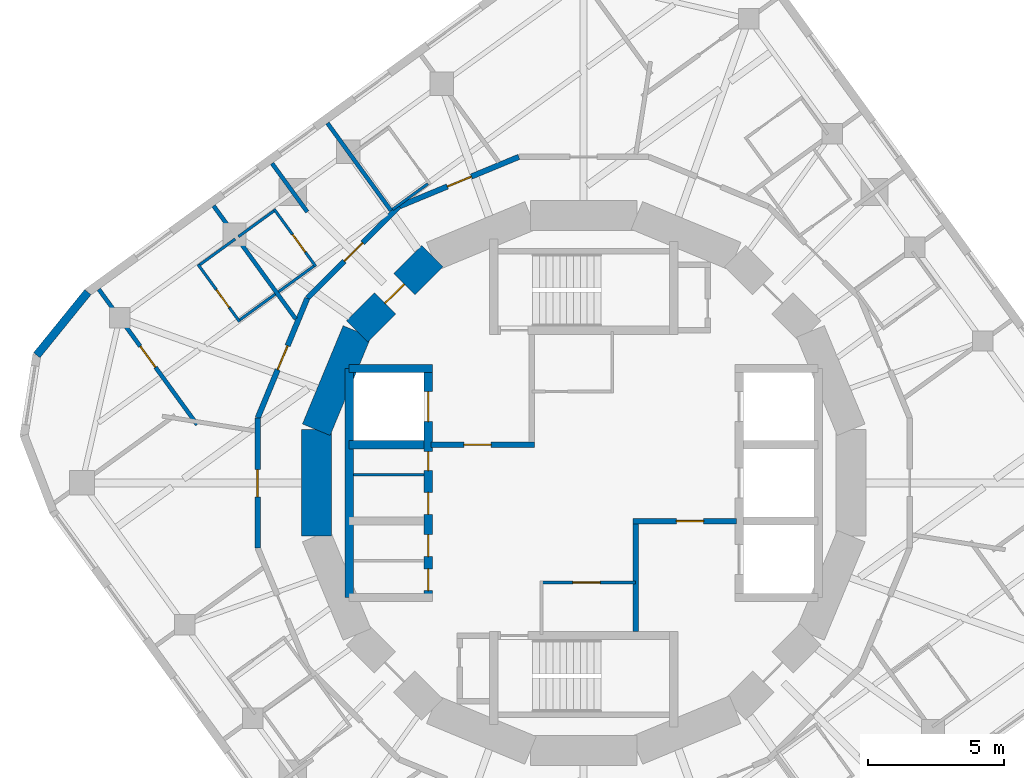
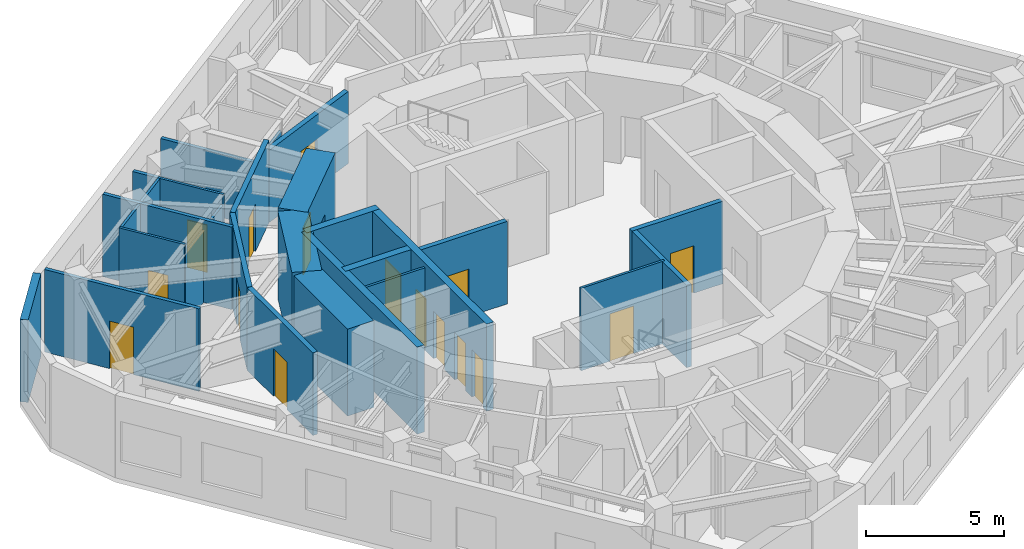
# One storey, part 5 of 9: 28 walls, 16 doors, 16 openings.
"""IFC4 building model written with IfcOpenShell, lengths in metres."""

from ifc_helpers import new_model, si_unit, direction, frame, frame_2d, origin, place, context, subcontext, project, spatial, rectangle, extrude, material, layer, layer_set, type_object, element, fill, save


model = new_model("IFC4")

# Units and contexts
model_context = context("Model", 3, precision=1e-05, world=origin(), true_north=direction((0.0, 1.0)))
body_context = subcontext(model_context, "Body", "Model", "MODEL_VIEW")
ifc_project = project(units=[si_unit("LENGTHUNIT", "METRE"), si_unit("AREAUNIT", "SQUARE_METRE"), si_unit("VOLUMEUNIT", "CUBIC_METRE"), si_unit("PLANEANGLEUNIT", "RADIAN"), si_unit("MASSUNIT", "GRAM", prefix="KILO")], contexts=[model_context])

# Site, building, storey
site_placement = place(None, origin())
site = spatial("IfcSite", under=ifc_project, at=site_placement, CompositionType="ELEMENT")
building_placement = place(site_placement, origin())
building = spatial("IfcBuilding", under=site, at=building_placement, Name="Nakasero Lantern House", CompositionType="ELEMENT")
storey_placement = place(building_placement, frame((0.0, 0.0, 267.60009765625)))
storey = spatial("IfcBuildingStorey", under=building, at=storey_placement, Name="L65", CompositionType="ELEMENT", Elevation=267.60009765625)

# Wall, openings, doors
ifc_material_1 = material(Name="Concrete C50/60", Category="concrete")
ifc_layer_1 = layer(ifc_material_1, 0.300048828125)
ifc_layer_set_1 = layer_set([ifc_layer_1], Name="Core inner wall 300")
wall_type_1 = type_object("IfcWallType", Name="Core inner wall 300", PredefinedType="SHEAR", material=ifc_layer_set_1)
wall_1_placement = place(storey_placement, frame((-5.699951171875, -4.199951171875, 0.0), z_axis=(0.0, 0.0, 1.0), x_axis=(0.0, 1.0, 0.0)))
wall_1 = element("IfcWall", 1, at=wall_1_placement, inside=storey, type_object=wall_type_1, Name="Core inner wall L65 LW", PredefinedType="SHEAR", context=body_context, shape_type="SweptSolid", body=[
    extrude(rectangle(XDim=8.39990234375, YDim=0.300048828125, at=frame_2d((4.199951171875, 0.0))), origin(), (0.0, 0.0, 1.0), 3.849853515625),
])
opening_1_placement = place(wall_1_placement, frame((0.25, 0.0, 0.0)))
opening_1 = element("IfcOpeningElement", 2, at=opening_1_placement, cuts=wall_1, Name="Opening D15", PredefinedType="OPENING", context=body_context, shape_type="SweptSolid", body=[
    extrude(rectangle(XDim=0.800048828125, YDim=2.10009765625, at=frame_2d((0.39990234375, 1.050048828125))), frame((0.0, 0.169921875, 0.0), z_axis=(0.0, -1.0, 0.0), x_axis=(1.0, 0.0, 0.0)), (0.0, 0.0, 1.0), 0.340087890625),
])
opening_2_placement = place(wall_1_placement, frame((1.5, 0.0, 0.0)))
opening_2 = element("IfcOpeningElement", 3, at=opening_2_placement, cuts=wall_1, Name="Opening D15", PredefinedType="OPENING", context=body_context, shape_type="SweptSolid", body=[
    extrude(rectangle(XDim=0.800048828125, YDim=2.10009765625, at=frame_2d((0.39990234375, 1.050048828125))), frame((0.0, 0.169921875, 0.0), z_axis=(0.0, -1.0, 0.0), x_axis=(1.0, 0.0, 0.0)), (0.0, 0.0, 1.0), 0.340087890625),
])
opening_3_placement = place(wall_1_placement, frame((3.050048828125, 0.0, 0.0)))
opening_3 = element("IfcOpeningElement", 4, at=opening_3_placement, cuts=wall_1, Name="Opening D15", PredefinedType="OPENING", context=body_context, shape_type="SweptSolid", body=[
    extrude(rectangle(XDim=0.800048828125, YDim=2.10009765625, at=frame_2d((0.39990234375, 1.050048828125))), frame((0.0, 0.169921875, 0.0), z_axis=(0.0, -1.0, 0.0), x_axis=(1.0, 0.0, 0.0)), (0.0, 0.0, 1.0), 0.340087890625),
])
opening_4_placement = place(wall_1_placement, frame((4.64990234375, 0.0, 0.0)))
opening_4 = element("IfcOpeningElement", 5, at=opening_4_placement, cuts=wall_1, Name="Opening D20", PredefinedType="OPENING", context=body_context, shape_type="SweptSolid", body=[
    extrude(rectangle(XDim=0.699951171875, YDim=2.10009765625, at=frame_2d((0.35009765625, 1.050048828125))), frame((0.0, 0.169921875, 0.0), z_axis=(0.0, -1.0, 0.0), x_axis=(1.0, 0.0, 0.0)), (0.0, 0.0, 1.0), 0.340087890625),
])
opening_5_placement = place(wall_1_placement, frame((6.449951171875, 0.0, 0.0)))
opening_5 = element("IfcOpeningElement", 6, at=opening_5_placement, cuts=wall_1, Name="Opening LD", PredefinedType="OPENING", context=body_context, shape_type="SweptSolid", body=[
    extrude(rectangle(XDim=1.10009765625, YDim=2.10009765625, at=frame_2d((0.550048828125, 1.050048828125))), frame((0.0, 0.169921875, 0.0), z_axis=(0.0, -1.0, 0.0), x_axis=(1.0, 0.0, 0.0)), (0.0, 0.0, 1.0), 0.340087890625),
])
ifc_material_2 = material(Name="Timber C24", Category="wood")
door_type_1 = type_object("IfcDoorType", Name="Cleaner's store door FD30S 700", OperationType="SINGLE_SWING_LEFT", PredefinedType="DOOR", material=ifc_material_2)
door_1_placement = place(opening_4_placement, origin())
door_1 = element("IfcDoor", 7, at=door_1_placement, inside=storey, type_object=door_type_1, Name="Door L65 D-SH-LW2b", OperationType="SINGLE_SWING_RIGHT", OverallHeight=2.10009765625, OverallWidth=0.699951171875, PredefinedType="DOOR", context=body_context, shape_type="SweptSolid", body=[
    extrude(rectangle(XDim=0.699951171875, YDim=2.10009765625, at=frame_2d((0.35009765625, 1.050048828125))), frame((0.0, 0.02490234375, 0.0), z_axis=(0.0, -1.0, 0.0), x_axis=(1.0, 0.0, 0.0)), (0.0, 0.0, 1.0), 0.050048828125),
])
fill(opening_4, door_1)
ifc_material_3 = material(Name="Timber C24", Category="wood")
door_type_2 = type_object("IfcDoorType", Name="Cleaner's store door FD30S 800", OperationType="SINGLE_SWING_LEFT", PredefinedType="DOOR", material=ifc_material_3)
door_2_placement = place(opening_1_placement, origin())
door_2 = element("IfcDoor", 8, at=door_2_placement, inside=storey, type_object=door_type_2, Name="Door L65 D-SH-LW1a", OperationType="SINGLE_SWING_LEFT", OverallHeight=2.10009765625, OverallWidth=0.800048828125, PredefinedType="DOOR", context=body_context, shape_type="SweptSolid", body=[
    extrude(rectangle(XDim=0.800048828125, YDim=2.10009765625, at=frame_2d((0.39990234375, 1.050048828125))), frame((0.0, 0.02490234375, 0.0), z_axis=(0.0, -1.0, 0.0), x_axis=(1.0, 0.0, 0.0)), (0.0, 0.0, 1.0), 0.050048828125),
])
fill(opening_1, door_2)
door_3_placement = place(opening_2_placement, origin())
door_3 = element("IfcDoor", 9, at=door_3_placement, inside=storey, type_object=door_type_2, Name="Door L65 D-SH-LW1b", OperationType="SINGLE_SWING_LEFT", OverallHeight=2.10009765625, OverallWidth=0.800048828125, PredefinedType="DOOR", context=body_context, shape_type="SweptSolid", body=[
    extrude(rectangle(XDim=0.800048828125, YDim=2.10009765625, at=frame_2d((0.39990234375, 1.050048828125))), frame((0.0, 0.02490234375, 0.0), z_axis=(0.0, -1.0, 0.0), x_axis=(1.0, 0.0, 0.0)), (0.0, 0.0, 1.0), 0.050048828125),
])
fill(opening_2, door_3)
door_4_placement = place(opening_3_placement, origin())
door_4 = element("IfcDoor", 10, at=door_4_placement, inside=storey, type_object=door_type_2, Name="Door L65 D-SH-LW2a", OperationType="SINGLE_SWING_LEFT", OverallHeight=2.10009765625, OverallWidth=0.800048828125, PredefinedType="DOOR", context=body_context, shape_type="SweptSolid", body=[
    extrude(rectangle(XDim=0.800048828125, YDim=2.10009765625, at=frame_2d((0.39990234375, 1.050048828125))), frame((0.0, 0.02490234375, 0.0), z_axis=(0.0, -1.0, 0.0), x_axis=(1.0, 0.0, 0.0)), (0.0, 0.0, 1.0), 0.050048828125),
])
fill(opening_3, door_4)
ifc_material_4 = material(Name="Steel S355", Category="steel")
door_type_3 = type_object("IfcDoorType", Name="Lift landing door E120 1100", OperationType="SLIDING_TO_LEFT", PredefinedType="DOOR", material=ifc_material_4)
door_5_placement = place(opening_5_placement, origin())
door_5 = element("IfcDoor", 11, at=door_5_placement, inside=storey, type_object=door_type_3, Name="Lift landing door LW3", OperationType="SLIDING_TO_LEFT", OverallHeight=2.10009765625, OverallWidth=1.10009765625, PredefinedType="DOOR", context=body_context, shape_type="SweptSolid", body=[
    extrude(rectangle(XDim=1.10009765625, YDim=2.10009765625, at=frame_2d((0.550048828125, 1.050048828125))), frame((0.0, 0.02490234375, 0.0), z_axis=(0.0, -1.0, 0.0), x_axis=(1.0, 0.0, 0.0)), (0.0, 0.0, 1.0), 0.050048828125),
])
fill(opening_5, door_5)

# Walls
wall_2_placement = place(storey_placement, frame((-8.60009765625, 4.199951171875, 0.0), z_axis=(0.0, 0.0, 1.0), x_axis=(1.0, 0.0, 0.0)))
element("IfcWall", 12, at=wall_2_placement, inside=storey, type_object=wall_type_1, Name="Core inner wall L65 LWN", PredefinedType="SHEAR", context=body_context, shape_type="SweptSolid", body=[
    extrude(rectangle(XDim=3.050048828125, YDim=0.300048828125, at=frame_2d((1.52490234375, 0.0))), origin(), (0.0, 0.0, 1.0), 3.849853515625),
])
wall_3_placement = place(storey_placement, frame((-8.60009765625, -4.199951171875, 0.0), z_axis=(0.0, 0.0, 1.0), x_axis=(0.0, 1.0, 0.0)))
element("IfcWall", 13, at=wall_3_placement, inside=storey, type_object=wall_type_1, Name="Core inner wall L65 LWB", PredefinedType="SHEAR", context=body_context, shape_type="SweptSolid", body=[
    extrude(rectangle(XDim=8.39990234375, YDim=0.300048828125, at=frame_2d((4.199951171875, 0.0))), origin(), (0.0, 0.0, 1.0), 3.849853515625),
])
wall_4_placement = place(storey_placement, frame((-8.60009765625, 1.39990234375, 0.0), z_axis=(0.0, 0.0, 1.0), x_axis=(1.0, 0.0, 0.0)))
element("IfcWall", 14, at=wall_4_placement, inside=storey, type_object=wall_type_1, Name="Core inner wall L65 LW2", PredefinedType="SHEAR", context=body_context, shape_type="SweptSolid", body=[
    extrude(rectangle(XDim=2.75, YDim=0.300048828125, at=frame_2d((1.375, 0.0))), origin(), (0.0, 0.0, 1.0), 3.849853515625),
])

# Wall, opening, door
ifc_material_5 = material(Name="Blockwork", Category="masonry")
ifc_layer_2 = layer(ifc_material_5, 0.10009765625)
ifc_layer_set_2 = layer_set([ifc_layer_2], Name="Core room wall 100")
wall_type_2 = type_object("IfcWallType", Name="Core room wall 100", PredefinedType="PARTITIONING", material=ifc_layer_set_2)
wall_5_placement = place(storey_placement, frame((-1.60009765625, -3.64990234375, 0.0), z_axis=(0.0, 0.0, 1.0), x_axis=(1.0, 0.0, 0.0)))
wall_5 = element("IfcWall", 15, at=wall_5_placement, inside=storey, type_object=wall_type_2, Name="Core room wall L65 CR-SWN", PredefinedType="PARTITIONING", context=body_context, shape_type="SweptSolid", body=[
    extrude(rectangle(XDim=3.5, YDim=0.10009765625, at=frame_2d((1.75, 0.0))), origin(), (0.0, 0.0, 1.0), 3.64990234375),
])
opening_6_placement = place(wall_5_placement, frame((1.199951171875, 0.0, 0.0)))
opening_6 = element("IfcOpeningElement", 16, at=opening_6_placement, cuts=wall_5, Name="Opening D07", PredefinedType="OPENING", context=body_context, shape_type="SweptSolid", body=[
    extrude(rectangle(XDim=1.0, YDim=2.10009765625, at=frame_2d((0.5, 1.050048828125))), frame((0.0, 0.070068359375, 0.0), z_axis=(0.0, -1.0, 0.0), x_axis=(1.0, 0.0, 0.0)), (0.0, 0.0, 1.0), 0.14013671875),
])
ifc_material_6 = material(Name="Timber C24", Category="wood")
door_type_4 = type_object("IfcDoorType", Name="Room door FD30S 1000", OperationType="SINGLE_SWING_LEFT", PredefinedType="DOOR", material=ifc_material_6)
door_6_placement = place(opening_6_placement, origin())
door_6 = element("IfcDoor", 17, at=door_6_placement, inside=storey, type_object=door_type_4, Name="Door L65 D-CR-SW", OperationType="SINGLE_SWING_LEFT", OverallHeight=2.10009765625, OverallWidth=1.0, PredefinedType="DOOR", context=body_context, shape_type="SweptSolid", body=[
    extrude(rectangle(XDim=1.0, YDim=2.10009765625, at=frame_2d((0.5, 1.050048828125))), frame((0.0, 0.02490234375, 0.0), z_axis=(0.0, -1.0, 0.0), x_axis=(1.0, 0.0, 0.0)), (0.0, 0.0, 1.0), 0.050048828125),
])
fill(opening_6, door_6)

# Wall
wall_6_placement = place(storey_placement, frame((-8.449951171875, 0.300048828125, 0.0), z_axis=(0.0, 0.0, 1.0), x_axis=(1.0, 0.0, 0.0)))
element("IfcWall", 18, at=wall_6_placement, inside=storey, type_object=wall_type_2, Name="Core room wall L65 CR-SH-LW2b", PredefinedType="PARTITIONING", context=body_context, shape_type="SweptSolid", body=[
    extrude(rectangle(XDim=2.599853515625, YDim=0.10009765625, at=frame_2d((1.2998046875, 0.0))), origin(), (0.0, 0.0, 1.0), 3.64990234375),
])

# Wall, opening, door
ifc_material_7 = material(Name="Concrete C50/60", Category="concrete")
ifc_layer_3 = layer(ifc_material_7, 1.10009765625)
ifc_layer_set_3 = layer_set([ifc_layer_3], Name="Core wall 1100")
wall_type_3 = type_object("IfcWallType", Name="Core wall 1100", PredefinedType="SHEAR", material=ifc_layer_set_3)
wall_7_placement = place(storey_placement, frame((-5.5556640625, 8.314697265625, 0.0), z_axis=(0.0, 0.0, 1.0), x_axis=(-0.707106781187, -0.707106781187, 0.0)))
wall_7 = element("IfcWall", 19, at=wall_7_placement, inside=storey, type_object=wall_type_3, Name="Core wall L65 facet 6", PredefinedType="SHEAR", context=body_context, shape_type="SweptSolid", body=[
    extrude(rectangle(XDim=3.90185546875, YDim=1.10009765625, at=frame_2d((1.950927734375, 0.0))), origin(), (0.0, 0.0, 1.0), 3.849853515625),
])
opening_7_placement = place(wall_7_placement, frame((1.450927734375, 0.0, 0.0)))
opening_7 = element("IfcOpeningElement", 20, at=opening_7_placement, cuts=wall_7, Name="Opening D05", PredefinedType="OPENING", context=body_context, shape_type="SweptSolid", body=[
    extrude(rectangle(XDim=1.0, YDim=2.10009765625, at=frame_2d((0.5, 1.050048828125))), frame((0.0, 0.570068359375, 0.0), z_axis=(0.0, -1.0, 0.0), x_axis=(1.0, 0.0, 0.0)), (0.0, 0.0, 1.0), 1.14013671875),
])
ifc_material_8 = material(Name="Timber C24", Category="wood")
door_type_5 = type_object("IfcDoorType", Name="Core door FD60S 1000", OperationType="SINGLE_SWING_LEFT", PredefinedType="DOOR", material=ifc_material_8)
door_7_placement = place(opening_7_placement, origin())
door_7 = element("IfcDoor", 21, at=door_7_placement, inside=storey, type_object=door_type_5, Name="Door L65 D-CORE06", OperationType="SINGLE_SWING_LEFT", OverallHeight=2.10009765625, OverallWidth=1.0, PredefinedType="DOOR", context=body_context, shape_type="SweptSolid", body=[
    extrude(rectangle(XDim=1.0, YDim=2.10009765625, at=frame_2d((0.5, 1.050048828125))), frame((0.0, 0.02490234375, 0.0), z_axis=(0.0, -1.0, 0.0), x_axis=(1.0, 0.0, 0.0)), (0.0, 0.0, 1.0), 0.050048828125),
])
fill(opening_7, door_7)

# Walls
for number, where, z_axis, x_axis, name in (
    (22, (-8.314697265625, 5.5556640625, 0.0), (0.0, 0.0, 1.0), (-0.382690736062, -0.923876507187, 0.0), "Core wall L65 facet 7"),
    (23, (-9.807861328125, 1.950927734375, 0.0), (0.0, 0.0, 1.0), (0.0, -1.0, 0.0), "Core wall L65 facet 8"),
):
    element("IfcWall", number, at=place(storey_placement, frame(where, z_axis=z_axis, x_axis=x_axis)), inside=storey, type_object=wall_type_3, Name=name, PredefinedType="SHEAR", context=body_context, shape_type="SweptSolid", body=[
        extrude(rectangle(XDim=3.90185546875, YDim=1.10009765625, at=frame_2d((1.950927734375, 0.0))), origin(), (0.0, 0.0, 1.0), 3.849853515625),
    ])

# Wall, opening, door
ifc_material_9 = material(Name="Blockwork", Category="masonry")
ifc_layer_4 = layer(ifc_material_9, 0.199951171875)
ifc_layer_set_4 = layer_set([ifc_layer_4], Name="Corridor wall 200")
wall_type_4 = type_object("IfcWallType", Name="Corridor wall 200", PredefinedType="PARTITIONING", material=ifc_layer_set_4)
wall_8_placement = place(storey_placement, frame((-11.957763671875, -2.378662109375, 0.0), z_axis=(0.0, 0.0, 1.0), x_axis=(0.0, 1.0, 0.0)))
wall_8 = element("IfcWall", 24, at=wall_8_placement, inside=storey, type_object=wall_type_4, Name="Corridor wall L65 RC08a", PredefinedType="PARTITIONING", context=body_context, shape_type="SweptSolid", body=[
    extrude(rectangle(XDim=4.75732421875, YDim=0.199951171875, at=frame_2d((2.378662109375, 0.0))), origin(), (0.0, 0.0, 1.0), 3.64990234375),
])
opening_8_placement = place(wall_8_placement, frame((1.8701171875, 0.0, 0.0)))
opening_8 = element("IfcOpeningElement", 25, at=opening_8_placement, cuts=wall_8, Name="Opening D03", PredefinedType="OPENING", context=body_context, shape_type="SweptSolid", body=[
    extrude(rectangle(XDim=1.0, YDim=2.10009765625, at=frame_2d((0.5, 1.050048828125))), frame((0.0, 0.119873046875, 0.0), z_axis=(0.0, -1.0, 0.0), x_axis=(1.0, 0.0, 0.0)), (0.0, 0.0, 1.0), 0.239990234375),
])
ifc_material_10 = material(Name="Timber C24", Category="wood")
door_type_6 = type_object("IfcDoorType", Name="Lounge door FD30S 1000", OperationType="SINGLE_SWING_LEFT", PredefinedType="DOOR", material=ifc_material_10)
door_8_placement = place(opening_8_placement, origin())
door_8 = element("IfcDoor", 26, at=door_8_placement, inside=storey, type_object=door_type_6, Name="Door L65 DK2", OperationType="SINGLE_SWING_LEFT", OverallHeight=2.10009765625, OverallWidth=1.0, PredefinedType="DOOR", context=body_context, shape_type="SweptSolid", body=[
    extrude(rectangle(XDim=1.0, YDim=2.10009765625, at=frame_2d((0.5, 1.050048828125))), frame((0.0, 0.02490234375, 0.0), z_axis=(0.0, -1.0, 0.0), x_axis=(1.0, 0.0, 0.0)), (0.0, 0.0, 1.0), 0.050048828125),
])
fill(opening_8, door_8)

wall_9_placement = place(storey_placement, frame((-11.957763671875, 2.378662109375, 0.0), z_axis=(0.0, 0.0, 1.0), x_axis=(0.382653970627, 0.923891735412, 0.0)))
wall_9 = element("IfcWall", 27, at=wall_9_placement, inside=storey, type_object=wall_type_4, Name="Corridor wall L65 RC09a", PredefinedType="PARTITIONING", context=body_context, shape_type="SweptSolid", body=[
    extrude(rectangle(XDim=4.757080078125, YDim=0.199951171875, at=frame_2d((2.37841796875, 0.0))), origin(), (0.0, 0.0, 1.0), 3.64990234375),
])
opening_9_placement = place(wall_9_placement, frame((1.919921875, 0.0, 0.0)))
opening_9 = element("IfcOpeningElement", 28, at=opening_9_placement, cuts=wall_9, Name="Opening D01", PredefinedType="OPENING", context=body_context, shape_type="SweptSolid", body=[
    extrude(rectangle(XDim=0.949951171875, YDim=2.10009765625, at=frame_2d((0.47509765625, 1.050048828125))), frame((0.0, 0.119873046875, 0.0), z_axis=(0.0, -1.0, 0.0), x_axis=(1.0, 0.0, 0.0)), (0.0, 0.0, 1.0), 0.239990234375),
])
ifc_material_11 = material(Name="Timber C24", Category="wood")
door_type_7 = type_object("IfcDoorType", Name="Bedroom door FD30S 950", OperationType="SINGLE_SWING_LEFT", PredefinedType="DOOR", material=ifc_material_11)
door_9_placement = place(opening_9_placement, origin())
door_9 = element("IfcDoor", 29, at=door_9_placement, inside=storey, type_object=door_type_7, Name="Door L65 D1-06", OperationType="SINGLE_SWING_RIGHT", OverallHeight=2.10009765625, OverallWidth=0.949951171875, PredefinedType="DOOR", context=body_context, shape_type="SweptSolid", body=[
    extrude(rectangle(XDim=0.949951171875, YDim=2.10009765625, at=frame_2d((0.47509765625, 1.050048828125))), frame((0.0, 0.02490234375, 0.0), z_axis=(0.0, -1.0, 0.0), x_axis=(1.0, 0.0, 0.0)), (0.0, 0.0, 1.0), 0.050048828125),
])
fill(opening_9, door_9)

wall_10_placement = place(storey_placement, frame((-10.137451171875, 6.773681640625, 0.0), z_axis=(0.0, 0.0, 1.0), x_axis=(0.707106781187, 0.707106781187, 0.0)))
wall_10 = element("IfcWall", 30, at=wall_10_placement, inside=storey, type_object=wall_type_4, Name="Corridor wall L65 RC10a", PredefinedType="PARTITIONING", context=body_context, shape_type="SweptSolid", body=[
    extrude(rectangle(XDim=4.757080078125, YDim=0.199951171875, at=frame_2d((2.37841796875, 0.0))), origin(), (0.0, 0.0, 1.0), 3.64990234375),
])
opening_10_placement = place(wall_10_placement, frame((1.919921875, 0.0, 0.0)))
opening_10 = element("IfcOpeningElement", 31, at=opening_10_placement, cuts=wall_10, Name="Opening D01", PredefinedType="OPENING", context=body_context, shape_type="SweptSolid", body=[
    extrude(rectangle(XDim=0.949951171875, YDim=2.10009765625, at=frame_2d((0.47509765625, 1.050048828125))), frame((0.0, 0.119873046875, 0.0), z_axis=(0.0, -1.0, 0.0), x_axis=(1.0, 0.0, 0.0)), (0.0, 0.0, 1.0), 0.239990234375),
])
door_10_placement = place(opening_10_placement, origin())
door_10 = element("IfcDoor", 32, at=door_10_placement, inside=storey, type_object=door_type_7, Name="Door L65 D1-04", OperationType="SINGLE_SWING_RIGHT", OverallHeight=2.10009765625, OverallWidth=0.949951171875, PredefinedType="DOOR", context=body_context, shape_type="SweptSolid", body=[
    extrude(rectangle(XDim=0.949951171875, YDim=2.10009765625, at=frame_2d((0.47509765625, 1.050048828125))), frame((0.0, 0.02490234375, 0.0), z_axis=(0.0, -1.0, 0.0), x_axis=(1.0, 0.0, 0.0)), (0.0, 0.0, 1.0), 0.050048828125),
])
fill(opening_10, door_10)

wall_11_placement = place(storey_placement, frame((-6.773681640625, 10.137451171875, 0.0), z_axis=(0.0, 0.0, 1.0), x_axis=(0.923891735412, 0.382653970627, 0.0)))
wall_11 = element("IfcWall", 33, at=wall_11_placement, inside=storey, type_object=wall_type_4, Name="Corridor wall L65 RC11a", PredefinedType="PARTITIONING", context=body_context, shape_type="SweptSolid", body=[
    extrude(rectangle(XDim=4.757080078125, YDim=0.199951171875, at=frame_2d((2.37841796875, 0.0))), origin(), (0.0, 0.0, 1.0), 3.18994140625),
])
opening_11_placement = place(wall_11_placement, frame((1.919921875, 0.0, 0.0)))
opening_11 = element("IfcOpeningElement", 34, at=opening_11_placement, cuts=wall_11, Name="Opening D01", PredefinedType="OPENING", context=body_context, shape_type="SweptSolid", body=[
    extrude(rectangle(XDim=0.949951171875, YDim=2.10009765625, at=frame_2d((0.47509765625, 1.050048828125))), frame((0.0, 0.119873046875, 0.0), z_axis=(0.0, -1.0, 0.0), x_axis=(1.0, 0.0, 0.0)), (0.0, 0.0, 1.0), 0.239990234375),
])
door_11_placement = place(opening_11_placement, origin())
door_11 = element("IfcDoor", 35, at=door_11_placement, inside=storey, type_object=door_type_7, Name="Door L65 D1-03", OperationType="SINGLE_SWING_RIGHT", OverallHeight=2.10009765625, OverallWidth=0.949951171875, PredefinedType="DOOR", context=body_context, shape_type="SweptSolid", body=[
    extrude(rectangle(XDim=0.949951171875, YDim=2.10009765625, at=frame_2d((0.47509765625, 1.050048828125))), frame((0.0, 0.02490234375, 0.0), z_axis=(0.0, -1.0, 0.0), x_axis=(1.0, 0.0, 0.0)), (0.0, 0.0, 1.0), 0.050048828125),
])
fill(opening_11, door_11)

# Wall
ifc_material_12 = material(Name="Blockwork", Category="masonry")
ifc_layer_5 = layer(ifc_material_12, 0.10009765625)
ifc_layer_set_5 = layer_set([ifc_layer_5], Name="En-suite wall 100")
wall_type_5 = type_object("IfcWallType", Name="En-suite wall 100", PredefinedType="PARTITIONING", material=ifc_layer_set_5)
wall_12_placement = place(storey_placement, frame((-5.713623046875, 10.9716796875, 0.0), z_axis=(0.0, 0.0, 1.0), x_axis=(-0.809026317077, -0.587772420479, 0.0)))
element("IfcWall", 36, at=wall_12_placement, inside=storey, type_object=wall_type_5, Name="En-suite wall L65 EI1-03", PredefinedType="PARTITIONING", context=body_context, shape_type="SweptSolid", body=[
    extrude(rectangle(XDim=1.60009765625, YDim=0.10009765625, at=frame_2d((0.800048828125, 0.0))), origin(), (0.0, 0.0, 1.0), 3.18994140625),
])

# Wall, opening, door
wall_13_placement = place(storey_placement, frame((-9.828125, 7.939453125, 0.0), z_axis=(0.0, 0.0, 1.0), x_axis=(-0.587791986546, 0.80901210161, 0.0)))
wall_13 = element("IfcWall", 37, at=wall_13_placement, inside=storey, type_object=wall_type_5, Name="En-suite wall L65 ES1-04", PredefinedType="PARTITIONING", context=body_context, shape_type="SweptSolid", body=[
    extrude(rectangle(XDim=2.60009765625, YDim=0.10009765625, at=frame_2d((1.300048828125, 0.0))), origin(), (0.0, 0.0, 1.0), 3.64990234375),
])
opening_12_placement = place(wall_13_placement, frame((0.64990234375, 0.0, 0.0)))
opening_12 = element("IfcOpeningElement", 38, at=opening_12_placement, cuts=wall_13, Name="Opening D02", PredefinedType="OPENING", context=body_context, shape_type="SweptSolid", body=[
    extrude(rectangle(XDim=0.800048828125, YDim=2.10009765625, at=frame_2d((0.39990234375, 1.050048828125))), frame((0.0, 0.070068359375, 0.0), z_axis=(0.0, -1.0, 0.0), x_axis=(1.0, 0.0, 0.0)), (0.0, 0.0, 1.0), 0.14013671875),
])
ifc_material_13 = material(Name="Timber C24", Category="wood")
door_type_8 = type_object("IfcDoorType", Name="En-suite door 800", OperationType="SINGLE_SWING_RIGHT", PredefinedType="DOOR", material=ifc_material_13)
door_12_placement = place(opening_12_placement, origin())
door_12 = element("IfcDoor", 39, at=door_12_placement, inside=storey, type_object=door_type_8, Name="Door L65 DE1-04", OperationType="SINGLE_SWING_LEFT", OverallHeight=2.10009765625, OverallWidth=0.800048828125, PredefinedType="DOOR", context=body_context, shape_type="SweptSolid", body=[
    extrude(rectangle(XDim=0.800048828125, YDim=2.10009765625, at=frame_2d((0.39990234375, 1.050048828125))), frame((0.0, 0.02490234375, 0.0), z_axis=(0.0, -1.0, 0.0), x_axis=(1.0, 0.0, 0.0)), (0.0, 0.0, 1.0), 0.050048828125),
])
fill(opening_12, door_12)

# Walls
wall_14_placement = place(storey_placement, frame((-11.367431640625, 9.97314453125, 0.0), z_axis=(0.0, 0.0, 1.0), x_axis=(-0.809026317077, -0.587772420479, 0.0)))
element("IfcWall", 40, at=wall_14_placement, inside=storey, type_object=wall_type_5, Name="En-suite wall L65 EE1-04", PredefinedType="PARTITIONING", context=body_context, shape_type="SweptSolid", body=[
    extrude(rectangle(XDim=1.60009765625, YDim=0.10009765625, at=frame_2d((0.800048828125, 0.0))), origin(), (0.0, 0.0, 1.0), 3.64990234375),
])
wall_15_placement = place(storey_placement, frame((-9.89794921875, 7.950439453125, 0.0), z_axis=(0.0, 0.0, 1.0), x_axis=(-0.809026317077, -0.587772420479, 0.0)))
element("IfcWall", 41, at=wall_15_placement, inside=storey, type_object=wall_type_5, Name="En-suite wall L65 EI1-04", PredefinedType="PARTITIONING", context=body_context, shape_type="SweptSolid", body=[
    extrude(rectangle(XDim=1.60009765625, YDim=0.10009765625, at=frame_2d((0.800048828125, 0.0))), origin(), (0.0, 0.0, 1.0), 3.18994140625),
])

# Wall, opening, door
wall_16_placement = place(storey_placement, frame((-12.619384765625, 5.91162109375, 0.0), z_axis=(0.0, 0.0, 1.0), x_axis=(-0.587730526155, 0.809056752413, 0.0)))
wall_16 = element("IfcWall", 42, at=wall_16_placement, inside=storey, type_object=wall_type_5, Name="En-suite wall L65 ES1-06", PredefinedType="PARTITIONING", context=body_context, shape_type="SweptSolid", body=[
    extrude(rectangle(XDim=2.599853515625, YDim=0.10009765625, at=frame_2d((1.2998046875, 0.0))), origin(), (0.0, 0.0, 1.0), 3.64990234375),
])
opening_13_placement = place(wall_16_placement, frame((0.64990234375, 0.0, 0.0)))
opening_13 = element("IfcOpeningElement", 43, at=opening_13_placement, cuts=wall_16, Name="Opening D02", PredefinedType="OPENING", context=body_context, shape_type="SweptSolid", body=[
    extrude(rectangle(XDim=0.800048828125, YDim=2.10009765625, at=frame_2d((0.39990234375, 1.050048828125))), frame((0.0, 0.070068359375, 0.0), z_axis=(0.0, -1.0, 0.0), x_axis=(1.0, 0.0, 0.0)), (0.0, 0.0, 1.0), 0.14013671875),
])
door_13_placement = place(opening_13_placement, origin())
door_13 = element("IfcDoor", 44, at=door_13_placement, inside=storey, type_object=door_type_8, Name="Door L65 DE1-06", OperationType="SINGLE_SWING_LEFT", OverallHeight=2.10009765625, OverallWidth=0.800048828125, PredefinedType="DOOR", context=body_context, shape_type="SweptSolid", body=[
    extrude(rectangle(XDim=0.800048828125, YDim=2.10009765625, at=frame_2d((0.39990234375, 1.050048828125))), frame((0.0, 0.02490234375, 0.0), z_axis=(0.0, -1.0, 0.0), x_axis=(1.0, 0.0, 0.0)), (0.0, 0.0, 1.0), 0.050048828125),
])
fill(opening_13, door_13)

# Walls
wall_17_placement = place(storey_placement, frame((-12.783203125, 8.9443359375, 0.0), z_axis=(0.0, 0.0, 1.0), x_axis=(-0.809026317077, -0.587772420479, 0.0)))
element("IfcWall", 45, at=wall_17_placement, inside=storey, type_object=wall_type_5, Name="En-suite wall L65 EE1-06", PredefinedType="PARTITIONING", context=body_context, shape_type="SweptSolid", body=[
    extrude(rectangle(XDim=1.60009765625, YDim=0.10009765625, at=frame_2d((0.800048828125, 0.0))), origin(), (0.0, 0.0, 1.0), 3.64990234375),
])
wall_18_placement = place(storey_placement, frame((-11.313720703125, 6.921875, 0.0), z_axis=(0.0, 0.0, 1.0), x_axis=(-0.809026317077, -0.587772420479, 0.0)))
element("IfcWall", 46, at=wall_18_placement, inside=storey, type_object=wall_type_5, Name="En-suite wall L65 EI1-06", PredefinedType="PARTITIONING", context=body_context, shape_type="SweptSolid", body=[
    extrude(rectangle(XDim=1.60009765625, YDim=0.10009765625, at=frame_2d((0.800048828125, 0.0))), origin(), (0.0, 0.0, 1.0), 3.18994140625),
])
ifc_material_14 = material(Name="Aluminium rainscreen on blockwork", Category="masonry")
ifc_layer_6 = layer(ifc_material_14, 0.300048828125)
ifc_layer_set_6 = layer_set([ifc_layer_6], Name="Facade wall 300")
wall_type_6 = type_object("IfcWallType", Name="Facade wall 300", PredefinedType="SOLIDWALL", material=ifc_layer_set_6)
wall_19_placement = place(storey_placement, frame((-18.185791015625, 6.996826171875, 0.0), z_axis=(0.0, 0.0, 1.0), x_axis=(-0.629375183362, -0.777101588319, 0.0)))
element("IfcWall", 47, at=wall_19_placement, inside=storey, type_object=wall_type_6, Name="Facade wall L65 FW1C1", PredefinedType="SOLIDWALL", context=body_context, shape_type="SweptSolid", body=[
    extrude(rectangle(XDim=2.976318359375, YDim=0.300048828125, at=frame_2d((1.48828125, 0.0))), origin(), (0.0, 0.0, 1.0), 3.64990234375),
])

# Wall, opening, door
ifc_material_15 = material(Name="Blockwork", Category="masonry")
ifc_layer_7 = layer(ifc_material_15, 0.199951171875)
ifc_layer_set_7 = layer_set([ifc_layer_7], Name="Fire lobby wall 200")
wall_type_7 = type_object("IfcWallType", Name="Fire lobby wall 200", PredefinedType="PARTITIONING", material=ifc_layer_set_7)
wall_20_placement = place(storey_placement, frame((-5.60009765625, 1.39990234375, 0.0), z_axis=(0.0, 0.0, 1.0), x_axis=(1.0, 0.0, 0.0)))
wall_20 = element("IfcWall", 48, at=wall_20_placement, inside=storey, type_object=wall_type_7, Name="Fire lobby wall L65 W-FL1S", PredefinedType="PARTITIONING", context=body_context, shape_type="SweptSolid", body=[
    extrude(rectangle(XDim=3.800048828125, YDim=0.199951171875, at=frame_2d((1.89990234375, 0.0))), origin(), (0.0, 0.0, 1.0), 3.64990234375),
])
opening_14_placement = place(wall_20_placement, frame((1.199951171875, 0.0, 0.0)))
opening_14 = element("IfcOpeningElement", 49, at=opening_14_placement, cuts=wall_20, Name="Opening D05", PredefinedType="OPENING", context=body_context, shape_type="SweptSolid", body=[
    extrude(rectangle(XDim=1.0, YDim=2.10009765625, at=frame_2d((0.5, 1.050048828125))), frame((0.0, 0.119873046875, 0.0), z_axis=(0.0, -1.0, 0.0), x_axis=(1.0, 0.0, 0.0)), (0.0, 0.0, 1.0), 0.239990234375),
])
door_14_placement = place(opening_14_placement, origin())
door_14 = element("IfcDoor", 50, at=door_14_placement, inside=storey, type_object=door_type_5, Name="Door L65 D-FL1", OperationType="SINGLE_SWING_LEFT", OverallHeight=2.10009765625, OverallWidth=1.0, PredefinedType="DOOR", context=body_context, shape_type="SweptSolid", body=[
    extrude(rectangle(XDim=1.0, YDim=2.10009765625, at=frame_2d((0.5, 1.050048828125))), frame((0.0, 0.02490234375, 0.0), z_axis=(0.0, -1.0, 0.0), x_axis=(1.0, 0.0, 0.0)), (0.0, 0.0, 1.0), 0.050048828125),
])
fill(opening_14, door_14)

wall_21_placement = place(storey_placement, frame((5.60009765625, -1.39990234375, 0.0), z_axis=(0.0, 0.0, 1.0), x_axis=(-1.0, 0.0, 0.0)))
wall_21 = element("IfcWall", 51, at=wall_21_placement, inside=storey, type_object=wall_type_7, Name="Fire lobby wall L65 W-FL2N", PredefinedType="PARTITIONING", context=body_context, shape_type="SweptSolid", body=[
    extrude(rectangle(XDim=3.800048828125, YDim=0.199951171875, at=frame_2d((1.89990234375, 0.0))), origin(), (0.0, 0.0, 1.0), 3.64990234375),
])
opening_15_placement = place(wall_21_placement, frame((1.199951171875, 0.0, 0.0)))
opening_15 = element("IfcOpeningElement", 52, at=opening_15_placement, cuts=wall_21, Name="Opening D05", PredefinedType="OPENING", context=body_context, shape_type="SweptSolid", body=[
    extrude(rectangle(XDim=1.0, YDim=2.10009765625, at=frame_2d((0.5, 1.050048828125))), frame((0.0, 0.119873046875, 0.0), z_axis=(0.0, -1.0, 0.0), x_axis=(1.0, 0.0, 0.0)), (0.0, 0.0, 1.0), 0.239990234375),
])
door_15_placement = place(opening_15_placement, origin())
door_15 = element("IfcDoor", 53, at=door_15_placement, inside=storey, type_object=door_type_5, Name="Door L65 D-FL2", OperationType="SINGLE_SWING_LEFT", OverallHeight=2.10009765625, OverallWidth=1.0, PredefinedType="DOOR", context=body_context, shape_type="SweptSolid", body=[
    extrude(rectangle(XDim=1.0, YDim=2.10009765625, at=frame_2d((0.5, 1.050048828125))), frame((0.0, 0.02490234375, 0.0), z_axis=(0.0, -1.0, 0.0), x_axis=(1.0, 0.0, 0.0)), (0.0, 0.0, 1.0), 0.050048828125),
])
fill(opening_15, door_15)

# Walls
wall_22_placement = place(storey_placement, frame((1.89990234375, -1.5, 0.0), z_axis=(0.0, 0.0, 1.0), x_axis=(0.0, -1.0, 0.0)))
element("IfcWall", 54, at=wall_22_placement, inside=storey, type_object=wall_type_7, Name="Fire lobby wall L65 W-FL2W", PredefinedType="PARTITIONING", context=body_context, shape_type="SweptSolid", body=[
    extrude(rectangle(XDim=3.949951171875, YDim=0.199951171875, at=frame_2d((1.97509765625, 0.0))), origin(), (0.0, 0.0, 1.0), 3.64990234375),
])
ifc_material_16 = material(Name="Blockwork", Category="masonry")
ifc_layer_8 = layer(ifc_material_16, 0.14990234375)
ifc_layer_set_8 = layer_set([ifc_layer_8], Name="Party wall 150")
wall_type_8 = type_object("IfcWallType", Name="Party wall 150", PredefinedType="PARTITIONING", material=ifc_layer_set_8)
wall_23_placement = place(storey_placement, frame((-10.13818359375, 9.939208984375, 0.0), z_axis=(0.0, 0.0, 1.0), x_axis=(-0.587821928992, 0.808990345923, 0.0)))
element("IfcWall", 55, at=wall_23_placement, inside=storey, type_object=wall_type_8, Name="Party wall L65 PN1-05", PredefinedType="PARTITIONING", context=body_context, shape_type="SweptSolid", body=[
    extrude(rectangle(XDim=2.199951171875, YDim=0.14990234375, at=frame_2d((1.10009765625, 0.0))), origin(), (0.0, 0.0, 1.0), 2.95703125),
])
wall_24_placement = place(storey_placement, frame((-7.067138671875, 9.985107421875, 0.0), z_axis=(0.0, 0.0, 1.0), x_axis=(-0.587802119896, 0.809004739075, 0.0)))
element("IfcWall", 56, at=wall_24_placement, inside=storey, type_object=wall_type_8, Name="Party wall L65 PW1-04", PredefinedType="PARTITIONING", context=body_context, shape_type="SweptSolid", body=[
    extrude(rectangle(XDim=3.9677734375, YDim=0.14990234375, at=frame_2d((1.98388671875, 0.0))), origin(), (0.0, 0.0, 1.0), 2.80908203125),
])
wall_25_placement = place(storey_placement, frame((-10.560791015625, 6.012939453125, 0.0), z_axis=(0.0, 0.0, 1.0), x_axis=(-0.587780977736, 0.809020100005, 0.0)))
element("IfcWall", 57, at=wall_25_placement, inside=storey, type_object=wall_type_8, Name="Party wall L65 PW1-06", PredefinedType="PARTITIONING", context=body_context, shape_type="SweptSolid", body=[
    extrude(rectangle(XDim=5.1279296875, YDim=0.14990234375, at=frame_2d((2.56396484375, 0.0))), origin(), (0.0, 0.0, 1.0), 3.64990234375),
])

# Wall, opening, door
wall_26_placement = place(storey_placement, frame((-14.1767578125, 2.137939453125, 0.0), z_axis=(0.0, 0.0, 1.0), x_axis=(-0.587774266883, 0.809024975628, 0.0)))
wall_26 = element("IfcWall", 58, at=wall_26_placement, inside=storey, type_object=wall_type_8, Name="Party wall L65 PW1-07", PredefinedType="PARTITIONING", context=body_context, shape_type="SweptSolid", body=[
    extrude(rectangle(XDim=6.137451171875, YDim=0.14990234375, at=frame_2d((3.06884765625, 0.0))), origin(), (0.0, 0.0, 1.0), 3.64990234375),
])
opening_16_placement = place(wall_26_placement, frame((2.60009765625, 0.0, 0.0)))
opening_16 = element("IfcOpeningElement", 59, at=opening_16_placement, cuts=wall_26, Name="Opening D01", PredefinedType="OPENING", context=body_context, shape_type="SweptSolid", body=[
    extrude(rectangle(XDim=0.949951171875, YDim=2.10009765625, at=frame_2d((0.47509765625, 1.050048828125))), frame((0.0, 0.094970703125, 0.0), z_axis=(0.0, -1.0, 0.0), x_axis=(1.0, 0.0, 0.0)), (0.0, 0.0, 1.0), 0.18994140625),
])
door_16_placement = place(opening_16_placement, origin())
door_16 = element("IfcDoor", 60, at=door_16_placement, inside=storey, type_object=door_type_7, Name="Door L65 DC1", OperationType="SINGLE_SWING_RIGHT", OverallHeight=2.10009765625, OverallWidth=0.949951171875, PredefinedType="DOOR", context=body_context, shape_type="SweptSolid", body=[
    extrude(rectangle(XDim=0.949951171875, YDim=2.10009765625, at=frame_2d((0.47509765625, 1.050048828125))), frame((0.0, 0.02490234375, 0.0), z_axis=(0.0, -1.0, 0.0), x_axis=(1.0, 0.0, 0.0)), (0.0, 0.0, 1.0), 0.050048828125),
])
fill(opening_16, door_16)

save(model, "model.ifc")
